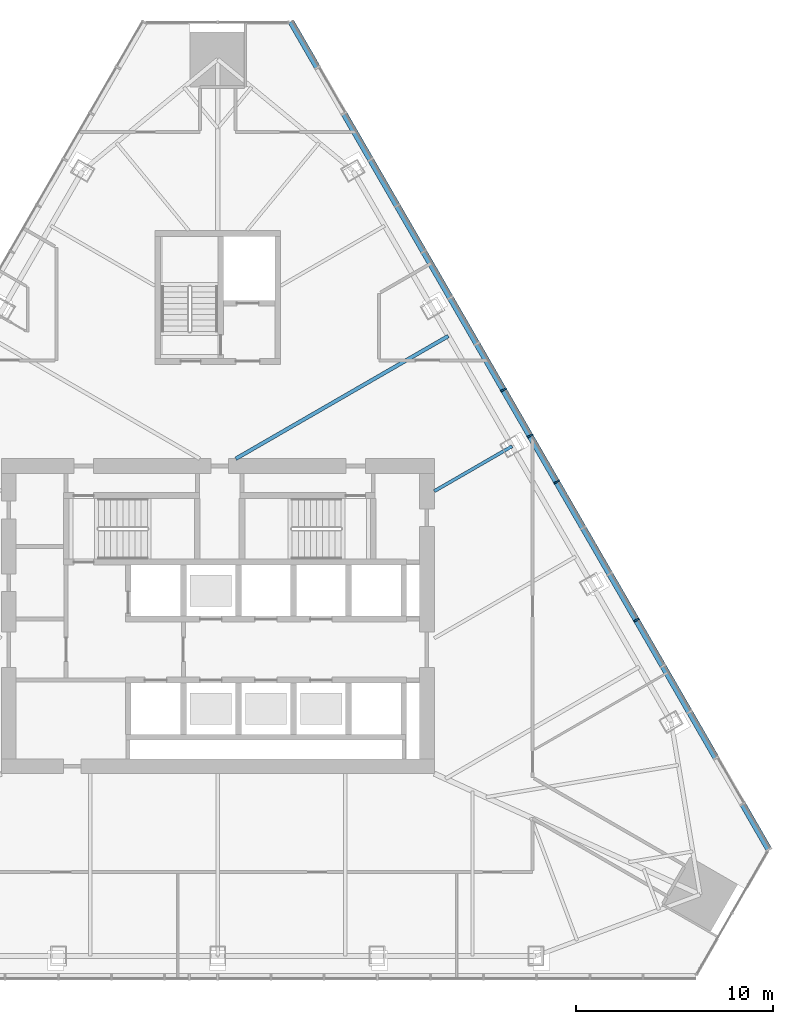
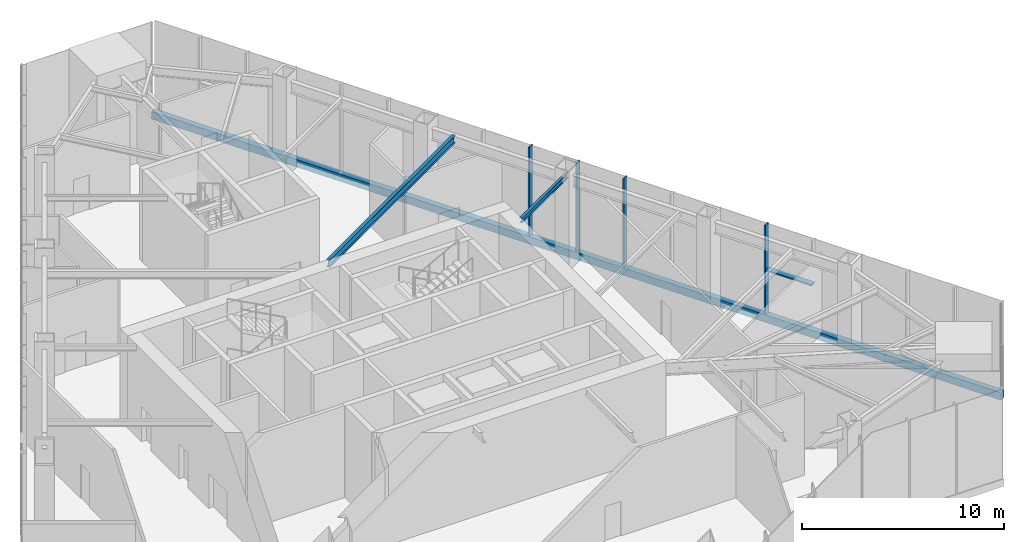
# One storey, part 6 of 16: 6 members, 2 beams, 1 element without a shape of its own.
"""IFC4 building model written with IfcOpenShell, lengths in metres."""

import ifcopenshell
import ifcopenshell.guid

model = None  # the IFC model being written
_history = None  # IfcOwnerHistory: only IFC2X3 demands one
_inside = {}  # id of a spatial element -> (the spatial element, [elements in it])
_under = {}  # id of a project, library or spatial element -> (it, [spatial elements below it])
_declared = {}  # id of a project -> (the project, [libraries it declares])
_typed = {}  # id of a type object -> (the type object, [elements of that type])
_made_of = {}  # id of a material, layer set ... -> (it, [elements and type objects made of it])


def new_model(schema):
    """Start an empty IFC model of exactly this schema.

    Asked for "IFC4X3", IfcOpenShell would pick the latest addendum, in which some entities
    have other attributes; the version numbers below select the first issue.
    IFC2X3 requires an IfcOwnerHistory on every rooted entity: one is made here for all.
    """
    global model, _history
    if schema == "IFC4X3":
        model = ifcopenshell.file(schema_version=(4, 3, 0, 0))
    else:
        model = ifcopenshell.file(schema=schema)
    _inside.clear()
    _under.clear()
    _declared.clear()
    _typed.clear()
    _made_of.clear()
    _history = None
    if model.schema == "IFC2X3":
        org = make("IfcOrganization", Name="unknown")
        user = make(
            "IfcPersonAndOrganization",
            ThePerson=make("IfcPerson", FamilyName="unknown"),
            TheOrganization=org,
        )
        app = make(
            "IfcApplication",
            ApplicationDeveloper=org,
            Version="unknown",
            ApplicationFullName="unknown",
            ApplicationIdentifier="unknown",
        )
        _history = make(
            "IfcOwnerHistory",
            OwningUser=user,
            OwningApplication=app,
            ChangeAction="ADDED",
            CreationDate=0,
        )
    return model


def make(cls, **values):
    """One entity of the class cls with the attributes given. An attribute that is None is left unset."""
    return model.create_entity(
        cls, **{name: value for name, value in values.items() if value is not None}
    )


def rooted(cls, **values):
    """An entity with a GlobalId (a new one), such as an element, a storey or a relation."""
    return make(cls, GlobalId=ifcopenshell.guid.new(), OwnerHistory=_history, **values)


def si_unit(unit_type, name, prefix=None):
    """IfcSIUnit, for example si_unit("LENGTHUNIT", "METRE", prefix="MILLI")."""
    return make("IfcSIUnit", UnitType=unit_type, Prefix=prefix, Name=name)


def assignment(units):
    """IfcUnitAssignment: the units of a project."""
    return None if units is None else make("IfcUnitAssignment", Units=units)


def point(xyz):
    """IfcCartesianPoint."""
    return None if xyz is None else make("IfcCartesianPoint", Coordinates=xyz)


def direction(xyz):
    """IfcDirection."""
    return None if xyz is None else make("IfcDirection", DirectionRatios=xyz)


def frame(location, z_axis=None, x_axis=None):
    """IfcAxis2Placement3D, a coordinate frame: its origin and axes. An axis left out is left unset."""
    return make(
        "IfcAxis2Placement3D",
        Location=point(location),
        Axis=direction(z_axis),
        RefDirection=direction(x_axis),
    )


def frame_2d(location, x_axis=None):
    """IfcAxis2Placement2D, a coordinate frame in the plane: its origin and x axis."""
    return make(
        "IfcAxis2Placement2D", Location=point(location), RefDirection=direction(x_axis)
    )


def origin():
    """The frame at (0, 0, 0) with its axes left unset."""
    return frame((0.0, 0.0, 0.0))


def origin_2d():
    """The frame at (0, 0) in the plane with its x axis left unset."""
    return frame_2d((0.0, 0.0))


def place(relative_to, where):
    """IfcLocalPlacement: puts the frame where relative to a parent placement (None: the world)."""
    return make(
        "IfcLocalPlacement", PlacementRelTo=relative_to, RelativePlacement=where
    )


def context(
    kind, dimensions, precision=None, world=None, true_north=None, identifier=None
):
    """IfcGeometricRepresentationContext, for example the 3D "Model" context."""
    return make(
        "IfcGeometricRepresentationContext",
        ContextIdentifier=identifier,
        ContextType=kind,
        CoordinateSpaceDimension=dimensions,
        Precision=precision,
        WorldCoordinateSystem=world,
        TrueNorth=true_north,
    )


def subcontext(parent, identifier, kind, view, scale=None):
    """IfcGeometricRepresentationSubContext, for example "Body" below "Model"."""
    return make(
        "IfcGeometricRepresentationSubContext",
        ContextIdentifier=identifier,
        ContextType=kind,
        ParentContext=parent,
        TargetScale=scale,
        TargetView=view,
    )


def project(units=None, contexts=None):
    """IfcProject with its units and contexts."""
    return rooted(
        "IfcProject",
        Name="project",
        RepresentationContexts=contexts,
        UnitsInContext=assignment(units),
    )


def spatial(cls, under=None, at=None, **own):
    """A site, building, storey or space (cls), placed at a placement, below another one or the project."""
    s = rooted(cls, ObjectPlacement=at, **own)
    if under is not None:
        _under.setdefault(under.id(), (under, []))[1].append(s)
    return s


def profile(cls, at=None, kind="AREA", **sizes):
    """A parametric profile (cls). Its sizes go by their IFC names, for example OverallWidth=200.0."""
    return make(cls, ProfileType=kind, Position=at, **sizes)


def rectangle(**sizes):
    """IfcRectangleProfileDef."""
    return profile("IfcRectangleProfileDef", **sizes)


def i_section(**sizes):
    """IfcIShapeProfileDef."""
    return profile("IfcIShapeProfileDef", **sizes)


def extrude(swept, where, along, depth):
    """IfcExtrudedAreaSolid: the profile swept, set in the frame where, extruded along a direction by depth."""
    return make(
        "IfcExtrudedAreaSolid",
        SweptArea=swept,
        Position=where,
        ExtrudedDirection=direction(along),
        Depth=depth,
    )


def shape(context_of_items, identifier, shape_type, items):
    """IfcShapeRepresentation: the items that make up one representation, for example the "Body"."""
    return make(
        "IfcShapeRepresentation",
        ContextOfItems=context_of_items,
        RepresentationIdentifier=identifier,
        RepresentationType=shape_type,
        Items=items,
    )


def material(Name=None, Category=None):
    """IfcMaterial."""
    return make("IfcMaterial", Name=Name, Category=Category)


def layer(
    of_material, thickness, ventilated=None, Name=None, Category=None, Priority=None
):
    """IfcMaterialLayer: one layer of a wall or slab, of a material (None: an air gap)."""
    return make(
        "IfcMaterialLayer",
        Material=of_material,
        LayerThickness=thickness,
        IsVentilated=ventilated,
        Name=Name,
        Category=Category,
        Priority=Priority,
    )


def layer_set(layers, Name=None):
    """IfcMaterialLayerSet."""
    return make("IfcMaterialLayerSet", MaterialLayers=layers, LayerSetName=Name)


def material_profile(
    of_material, cross_section, Name=None, Category=None, Priority=None
):
    """IfcMaterialProfile: a cross section and its material."""
    return make(
        "IfcMaterialProfile",
        Name=Name,
        Material=of_material,
        Profile=cross_section,
        Priority=Priority,
        Category=Category,
    )


def profile_set(profiles, Name=None, composite=None):
    """IfcMaterialProfileSet."""
    return make(
        "IfcMaterialProfileSet",
        Name=Name,
        MaterialProfiles=profiles,
        CompositeProfile=composite,
    )


def made_of(thing, what):
    """Note that an element or type object is made of a material, layer set ...; save() writes the relation."""
    if what is not None:
        _made_of.setdefault(what.id(), (what, []))[1].append(thing)
    return thing


def type_object(cls, material=None, **own):
    """A type object (cls), such as IfcWallType, which elements share."""
    return made_of(rooted(cls, **own), material)


def element(
    cls,
    number,
    at=None,
    inside=None,
    cuts=None,
    type_object=None,
    material=None,
    context=None,
    identifier="Body",
    shape_type=None,
    held_by="IfcProductDefinitionShape",
    body=None,
    shapes=None,
    **own,
):
    """One element of the class cls, such as IfcWall. Its Tag is "e" and its number.

    at: its placement. inside: the storey or other place that contains it. cuts: it is an
    opening in that element (IfcRelVoidsElement). A single representation is given by context,
    identifier, shape_type and body (its items); several are given by shapes. held_by: the class
    of the entity that holds the representations. save() writes the other relations.
    """
    e = rooted(cls, Tag="e%d" % number, ObjectPlacement=at, **own)
    if body is not None:
        shapes = [shape(context, identifier, shape_type, body)]
    if shapes is not None:
        e.Representation = make(held_by, Representations=shapes)
    if inside is not None:
        _inside.setdefault(inside.id(), (inside, []))[1].append(e)
    if cuts is not None:
        rooted(
            "IfcRelVoidsElement", RelatingBuildingElement=cuts, RelatedOpeningElement=e
        )
    if type_object is not None:
        _typed.setdefault(type_object.id(), (type_object, []))[1].append(e)
    return made_of(e, material)


def aggregate(whole, parts):
    """IfcRelAggregates: a whole, such as a stair, and the parts it consists of."""
    return rooted("IfcRelAggregates", RelatingObject=whole, RelatedObjects=parts)


def save(model, path):
    """Write the relations noted so far, then the file.

    IfcRelAggregates (storeys below a building ...), IfcRelContainedInSpatialStructure (elements
    in a storey), IfcRelDefinesByType, IfcRelAssociatesMaterial and IfcRelDeclares: one each for
    every whole, place, type object, material and project.
    """
    for whole, parts in _under.values():
        aggregate(whole, parts)
    for where, things in _inside.values():
        rooted(
            "IfcRelContainedInSpatialStructure",
            RelatedElements=things,
            RelatingStructure=where,
        )
    for kind, things in _typed.values():
        rooted("IfcRelDefinesByType", RelatedObjects=things, RelatingType=kind)
    for what, things in _made_of.values():
        rooted("IfcRelAssociatesMaterial", RelatedObjects=things, RelatingMaterial=what)
    for by, libraries in _declared.values():
        rooted("IfcRelDeclares", RelatingContext=by, RelatedDefinitions=libraries)
    model.write(path)


model = new_model("IFC4")

# Units and contexts
model_context = context("Model", 3, precision=1e-05, world=origin(), true_north=direction((0.0, 1.0)))
body_context = subcontext(model_context, "Body", "Model", "MODEL_VIEW")
ifc_project = project(units=[si_unit("LENGTHUNIT", "METRE"), si_unit("AREAUNIT", "SQUARE_METRE"), si_unit("VOLUMEUNIT", "CUBIC_METRE"), si_unit("PLANEANGLEUNIT", "RADIAN"), si_unit("MASSUNIT", "GRAM", prefix="KILO")], contexts=[model_context])

# Site, building, storey
site_placement = place(None, origin())
site = spatial("IfcSite", under=ifc_project, at=site_placement, CompositionType="ELEMENT")
building_placement = place(site_placement, origin())
building = spatial("IfcBuilding", under=site, at=building_placement, Name="Firuza Gate Tower and Library", CompositionType="ELEMENT")
storey_placement = place(building_placement, frame((0.0, 0.0, 241.60009765625)))
storey = spatial("IfcBuildingStorey", under=building, at=storey_placement, Name="L57", CompositionType="ELEMENT", Elevation=241.60009765625)

# Curtain wall, members
ifc_material_1 = material(Name="Aluminium 6063-T6", Category="aluminium")
ifc_layer = layer(ifc_material_1, 0.14990234375)
ifc_layer_set = layer_set([ifc_layer], Name="Unitised curtain wall, hotel")
curtain_wall_type = type_object("IfcCurtainWallType", Name="Unitised curtain wall, hotel", PredefinedType="NOTDEFINED", material=ifc_layer_set)
curtain_wall_placement = place(storey_placement, origin())
curtain_wall = element("IfcCurtainWall", 1, at=curtain_wall_placement, inside=storey, type_object=curtain_wall_type, Name="CW2 L57 E face", PredefinedType="NOTDEFINED")
ifc_material_2 = material(Name="Aluminium 6063-T6", Category="aluminium")
ifc_material_profile_1 = material_profile(ifc_material_2, rectangle(XDim=0.320068359375, YDim=0.080078125, at=origin_2d()))
ifc_profile_set_1 = profile_set([ifc_material_profile_1], Name="Aluminium 6063-T6")
member_type_1 = type_object("IfcMemberType", Name="Curtain wall mullion 80x320", PredefinedType="MULLION", material=ifc_profile_set_1)
member_1_placement = place(storey_placement, frame((96.27099609375, 74.80712890625, 0.14990234375), z_axis=(0.0, 0.0, 1.0), x_axis=(-0.866025403784, -0.5, 0.0)))
member_1 = element("IfcMember", 2, at=member_1_placement, type_object=member_type_1, Name="Mullion", PredefinedType="MULLION", context=body_context, shape_type="SweptSolid", body=[
    extrude(rectangle(XDim=0.320068359375, YDim=0.080078125, at=origin_2d()), origin(), (0.0, 0.0, 1.0), 5.39990234375),
])
member_2_placement = place(storey_placement, frame((92.219970703125, 81.823486328125, 0.14990234375), z_axis=(0.0, 0.0, 1.0), x_axis=(-0.866025403784, -0.5, 0.0)))
member_2 = element("IfcMember", 3, at=member_2_placement, type_object=member_type_1, Name="Mullion", PredefinedType="MULLION", context=body_context, shape_type="SweptSolid", body=[
    extrude(rectangle(XDim=0.320068359375, YDim=0.080078125, at=origin_2d()), origin(), (0.0, 0.0, 1.0), 5.39990234375),
])
member_3_placement = place(storey_placement, frame((90.869873046875, 84.162353515625, 0.14990234375), z_axis=(0.0, 0.0, 1.0), x_axis=(-0.866025403784, -0.5, 0.0)))
member_3 = element("IfcMember", 4, at=member_3_placement, type_object=member_type_1, Name="Mullion", PredefinedType="MULLION", context=body_context, shape_type="SweptSolid", body=[
    extrude(rectangle(XDim=0.320068359375, YDim=0.080078125, at=origin_2d()), origin(), (0.0, 0.0, 1.0), 5.39990234375),
])
member_4_placement = place(storey_placement, frame((89.51953125, 86.501220703125, 0.14990234375), z_axis=(0.0, 0.0, 1.0), x_axis=(-0.866025403784, -0.5, 0.0)))
member_4 = element("IfcMember", 5, at=member_4_placement, type_object=member_type_1, Name="Mullion", PredefinedType="MULLION", context=body_context, shape_type="SweptSolid", body=[
    extrude(rectangle(XDim=0.320068359375, YDim=0.080078125, at=origin_2d()), origin(), (0.0, 0.0, 1.0), 5.39990234375),
])
ifc_material_3 = material(Name="Aluminium 6063-T6", Category="aluminium")
ifc_material_profile_2 = material_profile(ifc_material_3, rectangle(XDim=0.320068359375, YDim=0.449951171875, at=origin_2d()))
ifc_profile_set_2 = profile_set([ifc_material_profile_2], Name="Aluminium 6063-T6")
member_type_2 = type_object("IfcMemberType", Name="Curtain wall transom 450x320", PredefinedType="USERDEFINED", material=ifc_profile_set_2)
member_5_placement = place(storey_placement, frame((103.022705078125, 63.113037109375, -0.0751953125), z_axis=(-0.500003875878, 0.866023166034, 0.0), x_axis=(-0.866023166034, -0.500003875878, 0.0)))
member_5 = element("IfcMember", 6, at=member_5_placement, type_object=member_type_2, Name="Transom", ObjectType="TRANSOM", PredefinedType="USERDEFINED", context=body_context, shape_type="SweptSolid", body=[
    extrude(rectangle(XDim=0.320068359375, YDim=0.449951171875, at=origin_2d()), origin(), (0.0, 0.0, 1.0), 48.611328125),
])
ifc_material_4 = material(Name="Aluminium 6063-T6", Category="aluminium")
ifc_material_profile_3 = material_profile(ifc_material_4, rectangle(XDim=0.320068359375, YDim=0.080078125, at=origin_2d()))
ifc_profile_set_3 = profile_set([ifc_material_profile_3], Name="Aluminium 6063-T6")
member_type_3 = type_object("IfcMemberType", Name="Curtain wall transom 80x320", PredefinedType="USERDEFINED", material=ifc_profile_set_3)
member_6_placement = place(storey_placement, frame((97.601318359375, 72.5029296875, 2.849853515625), z_axis=(-0.499996639036, 0.866027344229, 0.0), x_axis=(-0.866027344229, -0.499996639036, 0.0)))
member_6 = element("IfcMember", 7, at=member_6_placement, type_object=member_type_3, Name="Transom", ObjectType="TRANSOM", PredefinedType="USERDEFINED", context=body_context, shape_type="SweptSolid", body=[
    extrude(rectangle(XDim=0.320068359375, YDim=0.080078125, at=origin_2d()), origin(), (0.0, 0.0, 1.0), 2.62060546875),
])
aggregate(curtain_wall, [member_1, member_2, member_3, member_4, member_5, member_6])

# Beams
ifc_material_5 = material(Name="Steel S355", Category="steel")
ifc_material_profile_4 = material_profile(ifc_material_5, i_section(OverallWidth=0.1650390625, OverallDepth=0.31005859375, WebThickness=0.005859375, FlangeThickness=0.009765625, at=origin_2d()))
ifc_profile_set_4 = profile_set([ifc_material_profile_4], Name="Steel S355")
beam_type_1 = type_object("IfcBeamType", Name="W310x39 Floor beam", PredefinedType="JOIST", material=ifc_profile_set_4)
beam_1_placement = place(storey_placement, frame((89.951904296875, 83.63232421875, 5.39501953125), z_axis=(-0.866038581096, -0.499977175532, 0.0), x_axis=(0.499977175532, -0.866038581096, 0.0)))
element("IfcBeam", 8, at=beam_1_placement, inside=storey, type_object=beam_type_1, Name="Floor beam L57 s52", PredefinedType="JOIST", context=body_context, shape_type="SweptSolid", body=[
    extrude(i_section(OverallWidth=0.1650390625, OverallDepth=0.31005859375, WebThickness=0.005859375, FlangeThickness=0.009765625, at=origin_2d()), origin(), (0.0, 0.0, 1.0), 4.563232421875),
])
ifc_material_6 = material(Name="Steel S355", Category="steel")
ifc_material_profile_5 = material_profile(ifc_material_6, i_section(OverallWidth=0.18994140625, OverallDepth=0.45703125, WebThickness=0.009033203125, FlangeThickness=0.014404296875, at=origin_2d()))
ifc_profile_set_5 = profile_set([ifc_material_profile_5], Name="Steel S355")
beam_type_2 = type_object("IfcBeamType", Name="W460x74 Floor beam", PredefinedType="JOIST", material=ifc_profile_set_5)
beam_2_placement = place(storey_placement, frame((86.716796875, 89.235595703125, 5.3212890625), z_axis=(-0.866023888189, -0.500002625079, 0.0), x_axis=(0.500002625079, -0.866023888189, 0.0)))
element("IfcBeam", 9, at=beam_2_placement, inside=storey, type_object=beam_type_2, Name="Floor beam L57 s53", PredefinedType="JOIST", context=body_context, shape_type="SweptSolid", body=[
    extrude(i_section(OverallWidth=0.18994140625, OverallDepth=0.45703125, WebThickness=0.009033203125, FlangeThickness=0.014404296875, at=origin_2d()), origin(), (0.0, 0.0, 1.0), 12.47119140625),
])

save(model, "model.ifc")
